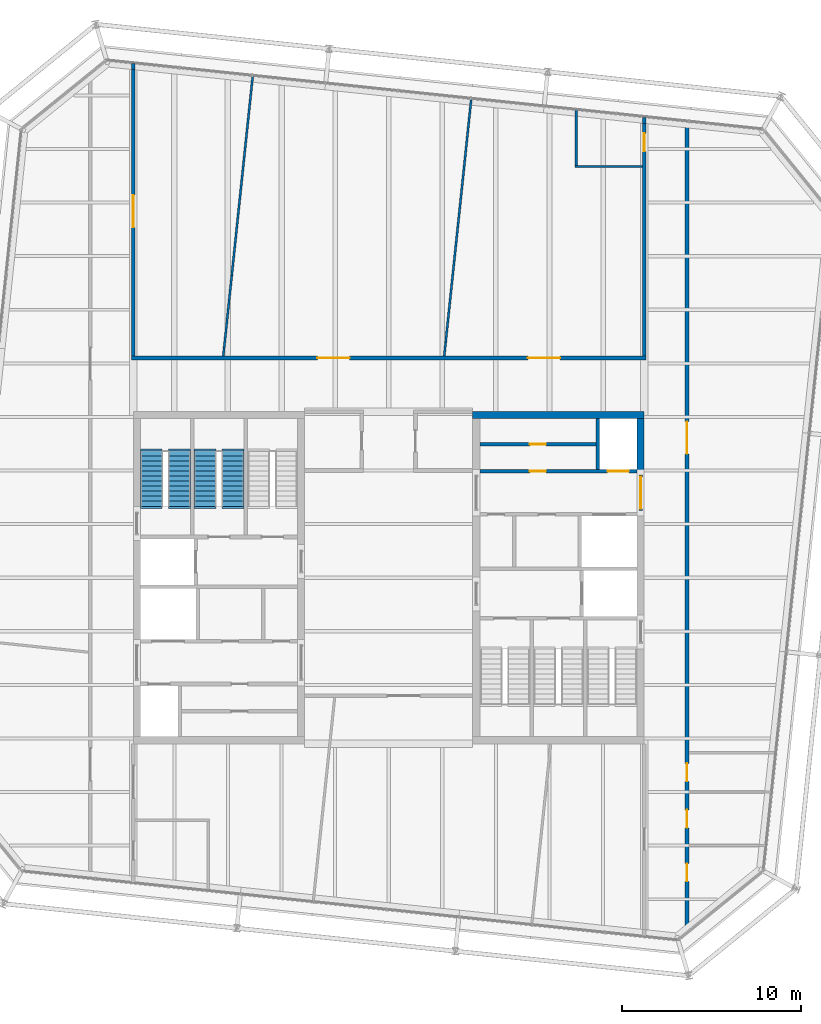
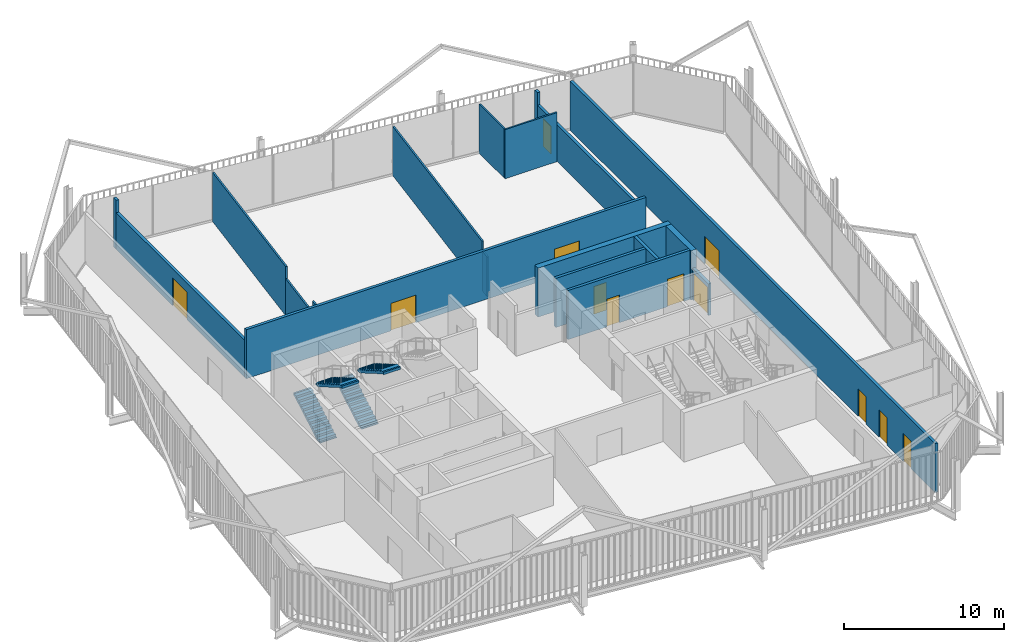
# One storey, part 19 of 21: 19 walls, 12 doors, 4 stair flights, 12 openings, 2 elements without a shape of their own.
"""IFC4 building model written with IfcOpenShell, lengths in metres."""

import ifcopenshell
import ifcopenshell.guid

model = None  # the IFC model being written
_history = None  # IfcOwnerHistory: only IFC2X3 demands one
_inside = {}  # id of a spatial element -> (the spatial element, [elements in it])
_under = {}  # id of a project, library or spatial element -> (it, [spatial elements below it])
_declared = {}  # id of a project -> (the project, [libraries it declares])
_typed = {}  # id of a type object -> (the type object, [elements of that type])
_made_of = {}  # id of a material, layer set ... -> (it, [elements and type objects made of it])


def new_model(schema):
    """Start an empty IFC model of exactly this schema.

    Asked for "IFC4X3", IfcOpenShell would pick the latest addendum, in which some entities
    have other attributes; the version numbers below select the first issue.
    IFC2X3 requires an IfcOwnerHistory on every rooted entity: one is made here for all.
    """
    global model, _history
    if schema == "IFC4X3":
        model = ifcopenshell.file(schema_version=(4, 3, 0, 0))
    else:
        model = ifcopenshell.file(schema=schema)
    _inside.clear()
    _under.clear()
    _declared.clear()
    _typed.clear()
    _made_of.clear()
    _history = None
    if model.schema == "IFC2X3":
        org = make("IfcOrganization", Name="unknown")
        user = make(
            "IfcPersonAndOrganization",
            ThePerson=make("IfcPerson", FamilyName="unknown"),
            TheOrganization=org,
        )
        app = make(
            "IfcApplication",
            ApplicationDeveloper=org,
            Version="unknown",
            ApplicationFullName="unknown",
            ApplicationIdentifier="unknown",
        )
        _history = make(
            "IfcOwnerHistory",
            OwningUser=user,
            OwningApplication=app,
            ChangeAction="ADDED",
            CreationDate=0,
        )
    return model


def make(cls, **values):
    """One entity of the class cls with the attributes given. An attribute that is None is left unset."""
    return model.create_entity(
        cls, **{name: value for name, value in values.items() if value is not None}
    )


def rooted(cls, **values):
    """An entity with a GlobalId (a new one), such as an element, a storey or a relation."""
    return make(cls, GlobalId=ifcopenshell.guid.new(), OwnerHistory=_history, **values)


def si_unit(unit_type, name, prefix=None):
    """IfcSIUnit, for example si_unit("LENGTHUNIT", "METRE", prefix="MILLI")."""
    return make("IfcSIUnit", UnitType=unit_type, Prefix=prefix, Name=name)


def assignment(units):
    """IfcUnitAssignment: the units of a project."""
    return None if units is None else make("IfcUnitAssignment", Units=units)


def point(xyz):
    """IfcCartesianPoint."""
    return None if xyz is None else make("IfcCartesianPoint", Coordinates=xyz)


def direction(xyz):
    """IfcDirection."""
    return None if xyz is None else make("IfcDirection", DirectionRatios=xyz)


def frame(location, z_axis=None, x_axis=None):
    """IfcAxis2Placement3D, a coordinate frame: its origin and axes. An axis left out is left unset."""
    return make(
        "IfcAxis2Placement3D",
        Location=point(location),
        Axis=direction(z_axis),
        RefDirection=direction(x_axis),
    )


def frame_2d(location, x_axis=None):
    """IfcAxis2Placement2D, a coordinate frame in the plane: its origin and x axis."""
    return make(
        "IfcAxis2Placement2D", Location=point(location), RefDirection=direction(x_axis)
    )


def origin():
    """The frame at (0, 0, 0) with its axes left unset."""
    return frame((0.0, 0.0, 0.0))


def place(relative_to, where):
    """IfcLocalPlacement: puts the frame where relative to a parent placement (None: the world)."""
    return make(
        "IfcLocalPlacement", PlacementRelTo=relative_to, RelativePlacement=where
    )


def context(
    kind, dimensions, precision=None, world=None, true_north=None, identifier=None
):
    """IfcGeometricRepresentationContext, for example the 3D "Model" context."""
    return make(
        "IfcGeometricRepresentationContext",
        ContextIdentifier=identifier,
        ContextType=kind,
        CoordinateSpaceDimension=dimensions,
        Precision=precision,
        WorldCoordinateSystem=world,
        TrueNorth=true_north,
    )


def subcontext(parent, identifier, kind, view, scale=None):
    """IfcGeometricRepresentationSubContext, for example "Body" below "Model"."""
    return make(
        "IfcGeometricRepresentationSubContext",
        ContextIdentifier=identifier,
        ContextType=kind,
        ParentContext=parent,
        TargetScale=scale,
        TargetView=view,
    )


def project(units=None, contexts=None):
    """IfcProject with its units and contexts."""
    return rooted(
        "IfcProject",
        Name="project",
        RepresentationContexts=contexts,
        UnitsInContext=assignment(units),
    )


def spatial(cls, under=None, at=None, **own):
    """A site, building, storey or space (cls), placed at a placement, below another one or the project."""
    s = rooted(cls, ObjectPlacement=at, **own)
    if under is not None:
        _under.setdefault(under.id(), (under, []))[1].append(s)
    return s


def polyline(points):
    """IfcPolyline through the points."""
    return make("IfcPolyline", Points=[point(p) for p in points])


def profile(cls, at=None, kind="AREA", **sizes):
    """A parametric profile (cls). Its sizes go by their IFC names, for example OverallWidth=200.0."""
    return make(cls, ProfileType=kind, Position=at, **sizes)


def rectangle(**sizes):
    """IfcRectangleProfileDef."""
    return profile("IfcRectangleProfileDef", **sizes)


def outline(outer, holes=None, kind="AREA"):
    """IfcArbitraryClosedProfileDef: a profile drawn as a closed curve; with holes, ...WithVoids."""
    if holes is None:
        return make("IfcArbitraryClosedProfileDef", ProfileType=kind, OuterCurve=outer)
    return make(
        "IfcArbitraryProfileDefWithVoids",
        ProfileType=kind,
        OuterCurve=outer,
        InnerCurves=holes,
    )


def extrude(swept, where, along, depth):
    """IfcExtrudedAreaSolid: the profile swept, set in the frame where, extruded along a direction by depth."""
    return make(
        "IfcExtrudedAreaSolid",
        SweptArea=swept,
        Position=where,
        ExtrudedDirection=direction(along),
        Depth=depth,
    )


def shape(context_of_items, identifier, shape_type, items):
    """IfcShapeRepresentation: the items that make up one representation, for example the "Body"."""
    return make(
        "IfcShapeRepresentation",
        ContextOfItems=context_of_items,
        RepresentationIdentifier=identifier,
        RepresentationType=shape_type,
        Items=items,
    )


def material(Name=None, Category=None):
    """IfcMaterial."""
    return make("IfcMaterial", Name=Name, Category=Category)


def layer(
    of_material, thickness, ventilated=None, Name=None, Category=None, Priority=None
):
    """IfcMaterialLayer: one layer of a wall or slab, of a material (None: an air gap)."""
    return make(
        "IfcMaterialLayer",
        Material=of_material,
        LayerThickness=thickness,
        IsVentilated=ventilated,
        Name=Name,
        Category=Category,
        Priority=Priority,
    )


def layer_set(layers, Name=None):
    """IfcMaterialLayerSet."""
    return make("IfcMaterialLayerSet", MaterialLayers=layers, LayerSetName=Name)


def made_of(thing, what):
    """Note that an element or type object is made of a material, layer set ...; save() writes the relation."""
    if what is not None:
        _made_of.setdefault(what.id(), (what, []))[1].append(thing)
    return thing


def type_object(cls, material=None, **own):
    """A type object (cls), such as IfcWallType, which elements share."""
    return made_of(rooted(cls, **own), material)


def element(
    cls,
    number,
    at=None,
    inside=None,
    cuts=None,
    type_object=None,
    material=None,
    context=None,
    identifier="Body",
    shape_type=None,
    held_by="IfcProductDefinitionShape",
    body=None,
    shapes=None,
    **own,
):
    """One element of the class cls, such as IfcWall. Its Tag is "e" and its number.

    at: its placement. inside: the storey or other place that contains it. cuts: it is an
    opening in that element (IfcRelVoidsElement). A single representation is given by context,
    identifier, shape_type and body (its items); several are given by shapes. held_by: the class
    of the entity that holds the representations. save() writes the other relations.
    """
    e = rooted(cls, Tag="e%d" % number, ObjectPlacement=at, **own)
    if body is not None:
        shapes = [shape(context, identifier, shape_type, body)]
    if shapes is not None:
        e.Representation = make(held_by, Representations=shapes)
    if inside is not None:
        _inside.setdefault(inside.id(), (inside, []))[1].append(e)
    if cuts is not None:
        rooted(
            "IfcRelVoidsElement", RelatingBuildingElement=cuts, RelatedOpeningElement=e
        )
    if type_object is not None:
        _typed.setdefault(type_object.id(), (type_object, []))[1].append(e)
    return made_of(e, material)


def fill(opening, filler):
    """IfcRelFillsElement: the door or window that sits in an opening."""
    return rooted(
        "IfcRelFillsElement",
        RelatingOpeningElement=opening,
        RelatedBuildingElement=filler,
    )


def aggregate(whole, parts):
    """IfcRelAggregates: a whole, such as a stair, and the parts it consists of."""
    return rooted("IfcRelAggregates", RelatingObject=whole, RelatedObjects=parts)


def save(model, path):
    """Write the relations noted so far, then the file.

    IfcRelAggregates (storeys below a building ...), IfcRelContainedInSpatialStructure (elements
    in a storey), IfcRelDefinesByType, IfcRelAssociatesMaterial and IfcRelDeclares: one each for
    every whole, place, type object, material and project.
    """
    for whole, parts in _under.values():
        aggregate(whole, parts)
    for where, things in _inside.values():
        rooted(
            "IfcRelContainedInSpatialStructure",
            RelatedElements=things,
            RelatingStructure=where,
        )
    for kind, things in _typed.values():
        rooted("IfcRelDefinesByType", RelatedObjects=things, RelatingType=kind)
    for what, things in _made_of.values():
        rooted("IfcRelAssociatesMaterial", RelatedObjects=things, RelatingMaterial=what)
    for by, libraries in _declared.values():
        rooted("IfcRelDeclares", RelatingContext=by, RelatedDefinitions=libraries)
    model.write(path)


model = new_model("IFC4")

# Units and contexts
model_context = context("Model", 3, precision=1e-05, world=origin(), true_north=direction((0.0, 1.0)))
body_context = subcontext(model_context, "Body", "Model", "MODEL_VIEW")
ifc_project = project(units=[si_unit("LENGTHUNIT", "METRE"), si_unit("AREAUNIT", "SQUARE_METRE"), si_unit("VOLUMEUNIT", "CUBIC_METRE"), si_unit("PLANEANGLEUNIT", "RADIAN"), si_unit("MASSUNIT", "GRAM", prefix="KILO")], contexts=[model_context])

# Site, building, storey
site_placement = place(None, origin())
site = spatial("IfcSite", under=ifc_project, at=site_placement, CompositionType="ELEMENT")
building_placement = place(site_placement, origin())
building = spatial("IfcBuilding", under=site, at=building_placement, Name="Millrace Tower", CompositionType="ELEMENT")
storey_placement = place(building_placement, frame((0.0, 0.0, 299.39990234375)))
storey = spatial("IfcBuildingStorey", under=building, at=storey_placement, Name="L69", CompositionType="ELEMENT", Elevation=299.39990234375)

# Walls
ifc_material_1 = material(Name="Concrete C60", Category="concrete")
ifc_layer_1 = layer(ifc_material_1, 0.39990234375)
ifc_layer_set_1 = layer_set([ifc_layer_1], Name="Concrete C60")
wall_type_1 = type_object("IfcWallType", Name="Core wall 400 Concrete C60", PredefinedType="SHEAR", material=ifc_layer_set_1)
wall_1_placement = place(storey_placement, frame((14.300048828125, 9.10009765625, 0.0), z_axis=(0.0, 0.0, 1.0), x_axis=(-1.0, 0.0, 0.0)))
element("IfcWall", 1, at=wall_1_placement, inside=storey, type_object=wall_type_1, Name="Core wall E L69", PredefinedType="SHEAR", context=body_context, shape_type="SweptSolid", body=[
    extrude(rectangle(XDim=9.60009765625, YDim=0.39990234375, at=frame_2d((4.800048828125, 0.0))), origin(), (0.0, 0.0, 1.0), 3.739990234375),
])
wall_2_placement = place(storey_placement, frame((14.10009765625, 8.89990234375, 0.0), z_axis=(0.0, 0.0, 1.0), x_axis=(0.0, -1.0, 0.0)))
element("IfcWall", 2, at=wall_2_placement, inside=storey, type_object=wall_type_1, Name="Core wall E L69", PredefinedType="SHEAR", context=body_context, shape_type="SweptSolid", body=[
    extrude(rectangle(XDim=3.14990234375, YDim=0.39990234375, at=frame_2d((1.574951171875, 0.0))), origin(), (0.0, 0.0, 1.0), 3.739990234375),
])

# Wall, openings, doors
ifc_material_2 = material(Name="Masonry partition, fire-rated", Category="masonry")
ifc_layer_2 = layer(ifc_material_2, 0.199951171875)
ifc_layer_set_2 = layer_set([ifc_layer_2], Name="Masonry partition, fire-rated")
wall_type_2 = type_object("IfcWallType", Name="Corridor wall 200", PredefinedType="PARTITIONING", material=ifc_layer_set_2)
wall_3_placement = place(storey_placement, frame((-14.39990234375, 12.300048828125, 0.0), z_axis=(0.0, 0.0, 1.0), x_axis=(1.0, 0.0, 0.0)))
wall_3 = element("IfcWall", 3, at=wall_3_placement, inside=storey, type_object=wall_type_2, Name="Corridor wall L69", PredefinedType="PARTITIONING", context=body_context, shape_type="SweptSolid", body=[
    extrude(rectangle(XDim=28.7998046875, YDim=0.199951171875, at=frame_2d((14.39990234375, 0.0))), origin(), (0.0, 0.0, 1.0), 3.739990234375),
])
opening_1_placement = place(wall_3_placement, frame((10.4130859375, 0.0, 0.0)))
opening_1 = element("IfcOpeningElement", 4, at=opening_1_placement, cuts=wall_3, Name="Opening 69-P006", PredefinedType="OPENING", context=body_context, shape_type="SweptSolid", body=[
    extrude(rectangle(XDim=1.800048828125, YDim=2.10009765625, at=frame_2d((0.89990234375, 1.050048828125))), frame((0.0, 0.10986328125, 0.0), z_axis=(0.0, -1.0, 0.0), x_axis=(1.0, 0.0, 0.0)), (0.0, 0.0, 1.0), 0.219970703125),
])
opening_2_placement = place(wall_3_placement, frame((22.198486328125, 0.0, 0.0)))
opening_2 = element("IfcOpeningElement", 5, at=opening_2_placement, cuts=wall_3, Name="Opening 69-P007", PredefinedType="OPENING", context=body_context, shape_type="SweptSolid", body=[
    extrude(rectangle(XDim=1.800048828125, YDim=2.10009765625, at=frame_2d((0.89990234375, 1.050048828125))), frame((0.0, 0.10986328125, 0.0), z_axis=(0.0, -1.0, 0.0), x_axis=(1.0, 0.0, 0.0)), (0.0, 0.0, 1.0), 0.219970703125),
])
ifc_material_3 = material(Name="Steel door set, fire-rated", Category="steel")
door_type_1 = type_object("IfcDoorType", Name="Corridor door 1800 x 2100", OperationType="DOUBLE_DOOR_SINGLE_SWING", PredefinedType="DOOR", material=ifc_material_3)
door_1_placement = place(opening_1_placement, frame((1.800048828125, 0.0, 0.0), z_axis=(0.0, 0.0, 1.0), x_axis=(-1.0, 0.0, 0.0)))
door_1 = element("IfcDoor", 6, at=door_1_placement, inside=storey, type_object=door_type_1, Name="Door 69-P006", OperationType="DOUBLE_DOOR_SINGLE_SWING", OverallHeight=2.10009765625, OverallWidth=1.800048828125, PredefinedType="DOOR", context=body_context, shape_type="SweptSolid", body=[
    extrude(rectangle(XDim=1.800048828125, YDim=2.10009765625, at=frame_2d((0.89990234375, 1.050048828125))), frame((0.0, 0.02490234375, 0.0), z_axis=(0.0, -1.0, 0.0), x_axis=(1.0, 0.0, 0.0)), (0.0, 0.0, 1.0), 0.050048828125),
])
fill(opening_1, door_1)
door_2_placement = place(opening_2_placement, origin())
door_2 = element("IfcDoor", 7, at=door_2_placement, inside=storey, type_object=door_type_1, Name="Door 69-P007", OperationType="DOUBLE_DOOR_SINGLE_SWING", OverallHeight=2.10009765625, OverallWidth=1.800048828125, PredefinedType="DOOR", context=body_context, shape_type="SweptSolid", body=[
    extrude(rectangle(XDim=1.800048828125, YDim=2.10009765625, at=frame_2d((0.89990234375, 1.050048828125))), frame((0.0, 0.02490234375, 0.0), z_axis=(0.0, -1.0, 0.0), x_axis=(1.0, 0.0, 0.0)), (0.0, 0.0, 1.0), 0.050048828125),
])
fill(opening_2, door_2)

wall_4_placement = place(storey_placement, frame((16.699951171875, -20.01416015625, 0.0), z_axis=(0.0, 0.0, 1.0), x_axis=(0.0, 1.0, 0.0)))
wall_4 = element("IfcWall", 8, at=wall_4_placement, inside=storey, type_object=wall_type_2, Name="Corridor wall L69", PredefinedType="PARTITIONING", context=body_context, shape_type="SweptSolid", body=[
    extrude(rectangle(XDim=45.535400390625, YDim=0.199951171875, at=frame_2d((22.767578125, 0.0))), origin(), (0.0, 0.0, 1.0), 3.739990234375),
])
opening_3_placement = place(wall_4_placement, frame((26.949462890625, 0.0, 0.0)))
opening_3 = element("IfcOpeningElement", 9, at=opening_3_placement, cuts=wall_4, Name="Opening 69-P009", PredefinedType="OPENING", context=body_context, shape_type="SweptSolid", body=[
    extrude(rectangle(XDim=1.800048828125, YDim=2.10009765625, at=frame_2d((0.89990234375, 1.050048828125))), frame((0.0, 0.10986328125, 0.0), z_axis=(0.0, -1.0, 0.0), x_axis=(1.0, 0.0, 0.0)), (0.0, 0.0, 1.0), 0.219970703125),
])
opening_4_placement = place(wall_4_placement, frame((3.01416015625, 0.0, 0.0)))
opening_4 = element("IfcOpeningElement", 10, at=opening_4_placement, cuts=wall_4, Name="Opening 69-P014", PredefinedType="OPENING", context=body_context, shape_type="SweptSolid", body=[
    extrude(rectangle(XDim=1.0, YDim=2.10009765625, at=frame_2d((0.5, 1.050048828125))), frame((0.0, 0.10986328125, 0.0), z_axis=(0.0, -1.0, 0.0), x_axis=(1.0, 0.0, 0.0)), (0.0, 0.0, 1.0), 0.219970703125),
])
opening_5_placement = place(wall_4_placement, frame((6.01416015625, 0.0, 0.0)))
opening_5 = element("IfcOpeningElement", 11, at=opening_5_placement, cuts=wall_4, Name="Opening 69-P015", PredefinedType="OPENING", context=body_context, shape_type="SweptSolid", body=[
    extrude(rectangle(XDim=1.0, YDim=2.10009765625, at=frame_2d((0.5, 1.050048828125))), frame((0.0, 0.10986328125, 0.0), z_axis=(0.0, -1.0, 0.0), x_axis=(1.0, 0.0, 0.0)), (0.0, 0.0, 1.0), 0.219970703125),
])
opening_6_placement = place(wall_4_placement, frame((8.614013671875, 0.0, 0.0)))
opening_6 = element("IfcOpeningElement", 12, at=opening_6_placement, cuts=wall_4, Name="Opening 69-P016", PredefinedType="OPENING", context=body_context, shape_type="SweptSolid", body=[
    extrude(rectangle(XDim=1.0, YDim=2.10009765625, at=frame_2d((0.5, 1.050048828125))), frame((0.0, 0.10986328125, 0.0), z_axis=(0.0, -1.0, 0.0), x_axis=(1.0, 0.0, 0.0)), (0.0, 0.0, 1.0), 0.219970703125),
])
ifc_material_4 = material(Name="Steel door set, fire-rated", Category="steel")
door_type_2 = type_object("IfcDoorType", Name="Corridor door 1000 x 2100", OperationType="SINGLE_SWING_LEFT", PredefinedType="DOOR", material=ifc_material_4)
door_3_placement = place(opening_4_placement, frame((1.0, 0.0, 0.0), z_axis=(0.0, 0.0, 1.0), x_axis=(-1.0, 0.0, 0.0)))
door_3 = element("IfcDoor", 13, at=door_3_placement, inside=storey, type_object=door_type_2, Name="Door 69-P014", OperationType="SINGLE_SWING_RIGHT", OverallHeight=2.10009765625, OverallWidth=1.0, PredefinedType="DOOR", context=body_context, shape_type="SweptSolid", body=[
    extrude(rectangle(XDim=1.0, YDim=2.10009765625, at=frame_2d((0.5, 1.050048828125))), frame((0.0, 0.02490234375, 0.0), z_axis=(0.0, -1.0, 0.0), x_axis=(1.0, 0.0, 0.0)), (0.0, 0.0, 1.0), 0.050048828125),
])
fill(opening_4, door_3)
door_4_placement = place(opening_5_placement, frame((1.0, 0.0, 0.0), z_axis=(0.0, 0.0, 1.0), x_axis=(-1.0, 0.0, 0.0)))
door_4 = element("IfcDoor", 14, at=door_4_placement, inside=storey, type_object=door_type_2, Name="Door 69-P015", OperationType="SINGLE_SWING_RIGHT", OverallHeight=2.10009765625, OverallWidth=1.0, PredefinedType="DOOR", context=body_context, shape_type="SweptSolid", body=[
    extrude(rectangle(XDim=1.0, YDim=2.10009765625, at=frame_2d((0.5, 1.050048828125))), frame((0.0, 0.02490234375, 0.0), z_axis=(0.0, -1.0, 0.0), x_axis=(1.0, 0.0, 0.0)), (0.0, 0.0, 1.0), 0.050048828125),
])
fill(opening_5, door_4)
door_5_placement = place(opening_6_placement, frame((1.0, 0.0, 0.0), z_axis=(0.0, 0.0, 1.0), x_axis=(-1.0, 0.0, 0.0)))
door_5 = element("IfcDoor", 15, at=door_5_placement, inside=storey, type_object=door_type_2, Name="Door 69-P016", OperationType="SINGLE_SWING_RIGHT", OverallHeight=2.10009765625, OverallWidth=1.0, PredefinedType="DOOR", context=body_context, shape_type="SweptSolid", body=[
    extrude(rectangle(XDim=1.0, YDim=2.10009765625, at=frame_2d((0.5, 1.050048828125))), frame((0.0, 0.02490234375, 0.0), z_axis=(0.0, -1.0, 0.0), x_axis=(1.0, 0.0, 0.0)), (0.0, 0.0, 1.0), 0.050048828125),
])
fill(opening_6, door_5)
door_6_placement = place(opening_3_placement, origin())
door_6 = element("IfcDoor", 16, at=door_6_placement, inside=storey, type_object=door_type_1, Name="Door 69-P009", OperationType="DOUBLE_DOOR_SINGLE_SWING", OverallHeight=2.10009765625, OverallWidth=1.800048828125, PredefinedType="DOOR", context=body_context, shape_type="SweptSolid", body=[
    extrude(rectangle(XDim=1.800048828125, YDim=2.10009765625, at=frame_2d((0.89990234375, 1.050048828125))), frame((0.0, 0.02490234375, 0.0), z_axis=(0.0, -1.0, 0.0), x_axis=(1.0, 0.0, 0.0)), (0.0, 0.0, 1.0), 0.050048828125),
])
fill(opening_3, door_6)

# Wall, opening, door
wall_5_placement = place(storey_placement, frame((14.300048828125, 12.39990234375, 0.0), z_axis=(0.0, 0.0, 1.0), x_axis=(0.0, 1.0, 0.0)))
wall_5 = element("IfcWall", 17, at=wall_5_placement, inside=storey, type_object=wall_type_2, Name="Corridor wall L69", PredefinedType="PARTITIONING", context=body_context, shape_type="SweptSolid", body=[
    extrude(rectangle(XDim=13.034423828125, YDim=0.199951171875, at=frame_2d((6.51708984375, 0.0))), origin(), (0.0, 0.0, 1.0), 2.792724609375),
])
opening_7_placement = place(wall_5_placement, frame((11.472900390625, 0.0, 0.0)))
opening_7 = element("IfcOpeningElement", 18, at=opening_7_placement, cuts=wall_5, Name="Opening 69-P008", PredefinedType="OPENING", context=body_context, shape_type="SweptSolid", body=[
    extrude(rectangle(XDim=1.0, YDim=2.10009765625, at=frame_2d((0.5, 1.050048828125))), frame((0.0, 0.10986328125, 0.0), z_axis=(0.0, -1.0, 0.0), x_axis=(1.0, 0.0, 0.0)), (0.0, 0.0, 1.0), 0.219970703125),
])
door_7_placement = place(opening_7_placement, origin())
door_7 = element("IfcDoor", 19, at=door_7_placement, inside=storey, type_object=door_type_2, Name="Door 69-P008", OperationType="SINGLE_SWING_RIGHT", OverallHeight=2.10009765625, OverallWidth=1.0, PredefinedType="DOOR", context=body_context, shape_type="SweptSolid", body=[
    extrude(rectangle(XDim=1.0, YDim=2.10009765625, at=frame_2d((0.5, 1.050048828125))), frame((0.0, 0.02490234375, 0.0), z_axis=(0.0, -1.0, 0.0), x_axis=(1.0, 0.0, 0.0)), (0.0, 0.0, 1.0), 0.050048828125),
])
fill(opening_7, door_7)

# Wall
wall_6_placement = place(storey_placement, frame((14.300048828125, 25.434326171875, 0.0), z_axis=(0.0, 0.0, 1.0), x_axis=(0.0, 1.0, 0.0)))
element("IfcWall", 20, at=wall_6_placement, inside=storey, type_object=wall_type_2, Name="Corridor wall L69", PredefinedType="PARTITIONING", context=body_context, shape_type="SweptSolid", body=[
    extrude(rectangle(XDim=0.339111328125, YDim=0.199951171875, at=frame_2d((0.16943359375, 0.0))), origin(), (0.0, 0.0, 1.0), 3.739990234375),
])

# Wall, opening, door
wall_7_placement = place(storey_placement, frame((-14.300048828125, 12.39990234375, 0.0), z_axis=(0.0, 0.0, 1.0), x_axis=(0.0, 1.0, 0.0)))
wall_7 = element("IfcWall", 21, at=wall_7_placement, inside=storey, type_object=wall_type_2, Name="Corridor wall L69", PredefinedType="PARTITIONING", context=body_context, shape_type="SweptSolid", body=[
    extrude(rectangle(XDim=16.040283203125, YDim=0.199951171875, at=frame_2d((8.02001953125, 0.0))), origin(), (0.0, 0.0, 1.0), 2.792724609375),
])
opening_8_placement = place(wall_7_placement, frame((7.214599609375, 0.0, 0.0)))
opening_8 = element("IfcOpeningElement", 22, at=opening_8_placement, cuts=wall_7, Name="Opening 69-P005", PredefinedType="OPENING", context=body_context, shape_type="SweptSolid", body=[
    extrude(rectangle(XDim=1.800048828125, YDim=2.10009765625, at=frame_2d((0.89990234375, 1.050048828125))), frame((0.0, 0.10986328125, 0.0), z_axis=(0.0, -1.0, 0.0), x_axis=(1.0, 0.0, 0.0)), (0.0, 0.0, 1.0), 0.219970703125),
])
door_8_placement = place(opening_8_placement, frame((1.800048828125, 0.0, 0.0), z_axis=(0.0, 0.0, 1.0), x_axis=(-1.0, 0.0, 0.0)))
door_8 = element("IfcDoor", 23, at=door_8_placement, inside=storey, type_object=door_type_1, Name="Door 69-P005", OperationType="DOUBLE_DOOR_SINGLE_SWING", OverallHeight=2.10009765625, OverallWidth=1.800048828125, PredefinedType="DOOR", context=body_context, shape_type="SweptSolid", body=[
    extrude(rectangle(XDim=1.800048828125, YDim=2.10009765625, at=frame_2d((0.89990234375, 1.050048828125))), frame((0.0, 0.02490234375, 0.0), z_axis=(0.0, -1.0, 0.0), x_axis=(1.0, 0.0, 0.0)), (0.0, 0.0, 1.0), 0.050048828125),
])
fill(opening_8, door_8)

# Wall
wall_8_placement = place(storey_placement, frame((-14.300048828125, 28.440185546875, 0.0), z_axis=(0.0, 0.0, 1.0), x_axis=(0.0, 1.0, 0.0)))
element("IfcWall", 24, at=wall_8_placement, inside=storey, type_object=wall_type_2, Name="Corridor wall L69", PredefinedType="PARTITIONING", context=body_context, shape_type="SweptSolid", body=[
    extrude(rectangle(XDim=0.33935546875, YDim=0.199951171875, at=frame_2d((0.169677734375, 0.0))), origin(), (0.0, 0.0, 1.0), 3.739990234375),
])

# Wall, openings, doors
ifc_material_5 = material(Name="Masonry partition, fire-rated", Category="masonry")
ifc_layer_3 = layer(ifc_material_5, 0.199951171875)
ifc_layer_set_3 = layer_set([ifc_layer_3], Name="Masonry partition, fire-rated")
wall_type_3 = type_object("IfcWallType", Name="Lift shaft wall 200", PredefinedType="PARTITIONING", material=ifc_layer_set_3)
wall_9_placement = place(storey_placement, frame((13.89990234375, 5.949951171875, 0.0), z_axis=(0.0, 0.0, 1.0), x_axis=(-1.0, 0.0, 0.0)))
wall_9 = element("IfcWall", 25, at=wall_9_placement, inside=storey, type_object=wall_type_3, Name="Lift shaft wall E L69", PredefinedType="PARTITIONING", context=body_context, shape_type="SweptSolid", body=[
    extrude(rectangle(XDim=8.7998046875, YDim=0.199951171875, at=frame_2d((4.39990234375, 0.0))), origin(), (0.0, 0.0, 1.0), 3.739990234375),
])
opening_9_placement = place(wall_9_placement, frame((0.449951171875, 0.0, 0.0)))
opening_9 = element("IfcOpeningElement", 26, at=opening_9_placement, cuts=wall_9, Name="Opening 69-LD09", PredefinedType="OPENING", context=body_context, shape_type="SweptSolid", body=[
    extrude(rectangle(XDim=1.199951171875, YDim=2.10009765625, at=frame_2d((0.60009765625, 1.050048828125))), frame((0.0, 0.10986328125, 0.0), z_axis=(0.0, -1.0, 0.0), x_axis=(1.0, 0.0, 0.0)), (0.0, 0.0, 1.0), 0.219970703125),
])
opening_10_placement = place(wall_9_placement, frame((5.10009765625, 0.0, 0.0)))
opening_10 = element("IfcOpeningElement", 27, at=opening_10_placement, cuts=wall_9, Name="Opening 69-C015", PredefinedType="OPENING", context=body_context, shape_type="SweptSolid", body=[
    extrude(rectangle(XDim=0.89990234375, YDim=2.10009765625, at=frame_2d((0.449951171875, 1.050048828125))), frame((0.0, 0.10986328125, 0.0), z_axis=(0.0, -1.0, 0.0), x_axis=(1.0, 0.0, 0.0)), (0.0, 0.0, 1.0), 0.219970703125),
])
ifc_material_6 = material(Name="Stainless steel, fire-rated", Category="steel")
door_type_3 = type_object("IfcDoorType", Name="Lift landing door 1200 x 2100", OperationType="DOUBLE_DOOR_SLIDING", PredefinedType="DOOR", material=ifc_material_6)
door_9_placement = place(opening_9_placement, origin())
door_9 = element("IfcDoor", 28, at=door_9_placement, inside=storey, type_object=door_type_3, Name="Lift landing door LF9 L69", OperationType="DOUBLE_DOOR_SLIDING", OverallHeight=2.10009765625, OverallWidth=1.199951171875, PredefinedType="DOOR", context=body_context, shape_type="SweptSolid", body=[
    extrude(rectangle(XDim=1.199951171875, YDim=2.10009765625, at=frame_2d((0.60009765625, 1.050048828125))), frame((0.0, 0.02490234375, 0.0), z_axis=(0.0, -1.0, 0.0), x_axis=(1.0, 0.0, 0.0)), (0.0, 0.0, 1.0), 0.050048828125),
])
fill(opening_9, door_9)
ifc_material_7 = material(Name="Steel door, fire-rated", Category="steel")
door_type_4 = type_object("IfcDoorType", Name="Service room door 900 x 2100", OperationType="SINGLE_SWING_LEFT", PredefinedType="DOOR", material=ifc_material_7)
door_10_placement = place(opening_10_placement, origin())
door_10 = element("IfcDoor", 29, at=door_10_placement, inside=storey, type_object=door_type_4, Name="Service room door 69-C015", OperationType="SINGLE_SWING_RIGHT", OverallHeight=2.10009765625, OverallWidth=0.89990234375, PredefinedType="DOOR", context=body_context, shape_type="SweptSolid", body=[
    extrude(rectangle(XDim=0.89990234375, YDim=2.10009765625, at=frame_2d((0.449951171875, 1.050048828125))), frame((0.0, 0.02490234375, 0.0), z_axis=(0.0, -1.0, 0.0), x_axis=(1.0, 0.0, 0.0)), (0.0, 0.0, 1.0), 0.050048828125),
])
fill(opening_10, door_10)

# Wall
wall_10_placement = place(storey_placement, frame((11.699951171875, 8.89990234375, 0.0), z_axis=(0.0, 0.0, 1.0), x_axis=(0.0, -1.0, 0.0)))
element("IfcWall", 30, at=wall_10_placement, inside=storey, type_object=wall_type_3, Name="Lift shaft wall E L69", PredefinedType="PARTITIONING", context=body_context, shape_type="SweptSolid", body=[
    extrude(rectangle(XDim=2.849853515625, YDim=0.199951171875, at=frame_2d((1.4248046875, 0.0))), origin(), (0.0, 0.0, 1.0), 3.739990234375),
])

# Wall, opening, door
ifc_material_8 = material(Name="Masonry partition, fire-rated", Category="masonry")
ifc_layer_4 = layer(ifc_material_8, 0.199951171875)
ifc_layer_set_4 = layer_set([ifc_layer_4], Name="Masonry partition, fire-rated")
wall_type_4 = type_object("IfcWallType", Name="Lobby wall 200", PredefinedType="PARTITIONING", material=ifc_layer_set_4)
wall_11_placement = place(storey_placement, frame((14.10009765625, 5.75, 0.0), z_axis=(0.0, 0.0, 1.0), x_axis=(0.0, -1.0, 0.0)))
wall_11 = element("IfcWall", 31, at=wall_11_placement, inside=storey, type_object=wall_type_4, Name="Lobby wall E L69", PredefinedType="PARTITIONING", context=body_context, shape_type="SweptSolid", body=[
    extrude(rectangle(XDim=2.0, YDim=0.199951171875, at=frame_2d((1.0, 0.0))), origin(), (0.0, 0.0, 1.0), 2.400146484375),
])
opening_11_placement = place(wall_11_placement, frame((0.10009765625, 0.0, 0.0)))
opening_11 = element("IfcOpeningElement", 32, at=opening_11_placement, cuts=wall_11, Name="Opening 69-C011", PredefinedType="OPENING", context=body_context, shape_type="SweptSolid", body=[
    extrude(rectangle(XDim=1.800048828125, YDim=2.10009765625, at=frame_2d((0.89990234375, 1.050048828125))), frame((0.0, 0.10986328125, 0.0), z_axis=(0.0, -1.0, 0.0), x_axis=(1.0, 0.0, 0.0)), (0.0, 0.0, 1.0), 0.219970703125),
])
ifc_material_9 = material(Name="Steel door, fire-rated", Category="steel")
door_type_5 = type_object("IfcDoorType", Name="Lobby door 1800 x 2100", OperationType="DOUBLE_DOOR_SINGLE_SWING", PredefinedType="DOOR", material=ifc_material_9)
door_11_placement = place(opening_11_placement, origin())
door_11 = element("IfcDoor", 33, at=door_11_placement, inside=storey, type_object=door_type_5, Name="Lobby door 69-C011", OperationType="DOUBLE_DOOR_SINGLE_SWING", OverallHeight=2.10009765625, OverallWidth=1.800048828125, PredefinedType="DOOR", context=body_context, shape_type="SweptSolid", body=[
    extrude(rectangle(XDim=1.800048828125, YDim=2.10009765625, at=frame_2d((0.89990234375, 1.050048828125))), frame((0.0, 0.02490234375, 0.0), z_axis=(0.0, -1.0, 0.0), x_axis=(1.0, 0.0, 0.0)), (0.0, 0.0, 1.0), 0.050048828125),
])
fill(opening_11, door_11)

# Walls
ifc_material_10 = material(Name="Gypsum board partition")
ifc_layer_5 = layer(ifc_material_10, 0.1201171875)
ifc_layer_set_5 = layer_set([ifc_layer_5], Name="Gypsum board partition")
wall_type_5 = type_object("IfcWallType", Name="Partition wall 120", PredefinedType="PARTITIONING", material=ifc_layer_set_5)
wall_12_placement = place(storey_placement, frame((10.43994140625, 23.02294921875, 0.0), z_axis=(0.0, 0.0, 1.0), x_axis=(1.0, 0.0, 0.0)))
element("IfcWall", 34, at=wall_12_placement, inside=storey, type_object=wall_type_5, Name="Partition wall L69", PredefinedType="PARTITIONING", context=body_context, shape_type="SweptSolid", body=[
    extrude(rectangle(XDim=3.760009765625, YDim=0.1201171875, at=frame_2d((1.8798828125, 0.0))), origin(), (0.0, 0.0, 1.0), 3.739990234375),
])
wall_13_placement = place(storey_placement, frame((3.107421875, 12.3994140625, 0.0), z_axis=(0.0, 0.0, 1.0), x_axis=(0.104651768543, 0.994508927733, 0.0)))
element("IfcWall", 35, at=wall_13_placement, inside=storey, type_object=wall_type_5, Name="Partition wall L69", PredefinedType="PARTITIONING", context=body_context, shape_type="SweptSolid", body=[
    extrude(rectangle(XDim=0.769775390625, YDim=0.1201171875, at=frame_2d((0.384765625, 0.0))), origin(), (0.0, 0.0, 1.0), 3.046630859375),
])
wall_14_placement = place(storey_placement, frame((3.18798828125, 13.1650390625, 0.0), z_axis=(0.0, 0.0, 1.0), x_axis=(0.104546573109, 0.994519991781, 0.0)))
element("IfcWall", 36, at=wall_14_placement, inside=storey, type_object=wall_type_5, Name="Partition wall L69", PredefinedType="PARTITIONING", context=body_context, shape_type="SweptSolid", body=[
    extrude(rectangle(XDim=13.700927734375, YDim=0.1201171875, at=frame_2d((6.8505859375, 0.0))), origin(), (0.0, 0.0, 1.0), 3.739990234375),
])
wall_15_placement = place(storey_placement, frame((-9.260498046875, 12.3994140625, 0.0), z_axis=(0.0, 0.0, 1.0), x_axis=(0.104319005638, 0.994543887952, 0.0)))
element("IfcWall", 37, at=wall_15_placement, inside=storey, type_object=wall_type_5, Name="Partition wall L69", PredefinedType="PARTITIONING", context=body_context, shape_type="SweptSolid", body=[
    extrude(rectangle(XDim=0.45166015625, YDim=0.1201171875, at=frame_2d((0.225830078125, 0.0))), origin(), (0.0, 0.0, 1.0), 3.739990234375),
])
wall_16_placement = place(storey_placement, frame((-9.21337890625, 12.8486328125, 0.0), z_axis=(0.0, 0.0, 1.0), x_axis=(0.104547794158, 0.99451986342, 0.0)))
element("IfcWall", 38, at=wall_16_placement, inside=storey, type_object=wall_type_5, Name="Partition wall L69", PredefinedType="PARTITIONING", context=body_context, shape_type="SweptSolid", body=[
    extrude(rectangle(XDim=4.08203125, YDim=0.1201171875, at=frame_2d((2.041015625, 0.0))), origin(), (0.0, 0.0, 1.0), 2.81298828125),
])
wall_17_placement = place(storey_placement, frame((-8.78662109375, 16.908203125, 0.0), z_axis=(0.0, 0.0, 1.0), x_axis=(0.104526348567, 0.99452211763, 0.0)))
element("IfcWall", 39, at=wall_17_placement, inside=storey, type_object=wall_type_5, Name="Partition wall L69", PredefinedType="PARTITIONING", context=body_context, shape_type="SweptSolid", body=[
    extrude(rectangle(XDim=11.22998046875, YDim=0.1201171875, at=frame_2d((5.614990234375, 0.0))), origin(), (0.0, 0.0, 1.0), 3.739990234375),
])
wall_18_placement = place(storey_placement, frame((10.5, 23.0830078125, 0.0), z_axis=(0.0, 0.0, 1.0), x_axis=(0.0, 1.0, 0.0)))
element("IfcWall", 40, at=wall_18_placement, inside=storey, type_object=wall_type_5, Name="Partition wall L69", PredefinedType="PARTITIONING", context=body_context, shape_type="SweptSolid", body=[
    extrude(rectangle(XDim=3.08984375, YDim=0.1201171875, at=frame_2d((1.544921875, 0.0))), origin(), (0.0, 0.0, 1.0), 3.739990234375),
])

# Wall, opening, door
ifc_material_11 = material(Name="Masonry partition, fire-rated", Category="masonry")
ifc_layer_6 = layer(ifc_material_11, 0.199951171875)
ifc_layer_set_6 = layer_set([ifc_layer_6], Name="Masonry partition, fire-rated")
wall_type_6 = type_object("IfcWallType", Name="Room partition 200", PredefinedType="PARTITIONING", material=ifc_layer_set_6)
wall_19_placement = place(storey_placement, frame((11.60009765625, 7.47509765625, 0.0), z_axis=(0.0, 0.0, 1.0), x_axis=(-1.0, 0.0, 0.0)))
wall_19 = element("IfcWall", 41, at=wall_19_placement, inside=storey, type_object=wall_type_6, Name="Room partition E L69", PredefinedType="PARTITIONING", context=body_context, shape_type="SweptSolid", body=[
    extrude(rectangle(XDim=6.5, YDim=0.199951171875, at=frame_2d((3.25, 0.0))), origin(), (0.0, 0.0, 1.0), 3.739990234375),
])
opening_12_placement = place(wall_19_placement, frame((2.800048828125, 0.0, 0.0)))
opening_12 = element("IfcOpeningElement", 42, at=opening_12_placement, cuts=wall_19, Name="Opening 69-C016", PredefinedType="OPENING", context=body_context, shape_type="SweptSolid", body=[
    extrude(rectangle(XDim=0.89990234375, YDim=2.10009765625, at=frame_2d((0.449951171875, 1.050048828125))), frame((0.0, 0.10986328125, 0.0), z_axis=(0.0, -1.0, 0.0), x_axis=(1.0, 0.0, 0.0)), (0.0, 0.0, 1.0), 0.219970703125),
])
door_12_placement = place(opening_12_placement, frame((0.89990234375, 0.0, 0.0), z_axis=(0.0, 0.0, 1.0), x_axis=(-1.0, 0.0, 0.0)))
door_12 = element("IfcDoor", 43, at=door_12_placement, inside=storey, type_object=door_type_4, Name="Service room door 69-C016", OperationType="SINGLE_SWING_LEFT", OverallHeight=2.10009765625, OverallWidth=0.89990234375, PredefinedType="DOOR", context=body_context, shape_type="SweptSolid", body=[
    extrude(rectangle(XDim=0.89990234375, YDim=2.10009765625, at=frame_2d((0.449951171875, 1.050048828125))), frame((0.0, 0.02490234375, 0.0), z_axis=(0.0, -1.0, 0.0), x_axis=(1.0, 0.0, 0.0)), (0.0, 0.0, 1.0), 0.050048828125),
])
fill(opening_12, door_12)

# Stair, stair flights
ifc_material_12 = material(Name="Concrete C35", Category="concrete")
stair_type = type_object("IfcStairType", Name="Exit stair", PredefinedType="HALF_TURN_STAIR", material=ifc_material_12)
placement = place(storey_placement, origin())
stair_1 = element("IfcStair", 44, at=placement, inside=storey, type_object=stair_type, Name="Stair 1 W L69", PredefinedType="HALF_TURN_STAIR")
ifc_material_13 = material(Name="Concrete C35", Category="concrete")
stair_flight_type = type_object("IfcStairFlightType", Name="Exit stair flight", PredefinedType="STRAIGHT", material=ifc_material_13)
stair_flight_1_placement = place(storey_placement, frame((-13.2900390625, 4.0, 0.0), z_axis=(0.0, 0.0, 1.0), x_axis=(0.0, 1.0, 0.0)))
stair_flight_1 = element("IfcStairFlight", 45, at=stair_flight_1_placement, type_object=stair_flight_type, Name="ST12 flight 1", NumberOfRisers=12, NumberOfTreads=11, PredefinedType="STRAIGHT", RiserHeight=0.1625, TreadLength=0.28, context=body_context, shape_type="SweptSolid", body=[
    extrude(outline(polyline([(-0.1201171875, -0.0400390625), (-0.1201171875, 0.0), (0.0, 0.0), (0.0, 0.16259765625), (0.280029296875, 0.16259765625), (0.280029296875, 0.324951171875), (0.56005859375, 0.324951171875), (0.56005859375, 0.487548828125), (0.840087890625, 0.487548828125), (0.840087890625, 0.64990234375), (1.1201171875, 0.64990234375), (1.1201171875, 0.8125), (1.39990234375, 0.8125), (1.39990234375, 0.97509765625), (1.679931640625, 0.97509765625), (1.679931640625, 1.137451171875), (1.9599609375, 1.137451171875), (1.9599609375, 1.300048828125), (2.239990234375, 1.300048828125), (2.239990234375, 1.46240234375), (2.52001953125, 1.46240234375), (2.52001953125, 1.625), (2.800048828125, 1.625), (2.800048828125, 1.78759765625), (3.080078125, 1.78759765625), (3.080078125, 1.8076171875), (3.199951171875, 1.8076171875), (3.199951171875, 1.6142578125), (3.080078125, 1.6142578125), (0.298583984375, 0.0), (0.298583984375, -0.0400390625), (-0.1201171875, -0.0400390625)])), frame((0.0, 0.60986328125, 0.0), z_axis=(0.0, -1.0, 0.0), x_axis=(1.0, 0.0, 0.0)), (0.0, 0.0, 1.0), 1.219970703125),
])
stair_flight_2_placement = place(storey_placement, frame((-11.7099609375, 7.080078125, 1.9501953125), z_axis=(0.0, 0.0, 1.0), x_axis=(0.0, -1.0, 0.0)))
stair_flight_2 = element("IfcStairFlight", 46, at=stair_flight_2_placement, type_object=stair_flight_type, Name="ST12 flight 2", NumberOfRisers=12, NumberOfTreads=11, PredefinedType="STRAIGHT", RiserHeight=0.1625, TreadLength=0.28, context=body_context, shape_type="SweptSolid", body=[
    extrude(outline(polyline([(-0.1201171875, -0.0400390625), (-0.1201171875, 0.0), (0.0, 0.0), (0.0, 0.16259765625), (0.280029296875, 0.16259765625), (0.280029296875, 0.324951171875), (0.56005859375, 0.324951171875), (0.56005859375, 0.487548828125), (0.840087890625, 0.487548828125), (0.840087890625, 0.64990234375), (1.1201171875, 0.64990234375), (1.1201171875, 0.8125), (1.39990234375, 0.8125), (1.39990234375, 0.97509765625), (1.679931640625, 0.97509765625), (1.679931640625, 1.137451171875), (1.9599609375, 1.137451171875), (1.9599609375, 1.300048828125), (2.239990234375, 1.300048828125), (2.239990234375, 1.46240234375), (2.52001953125, 1.46240234375), (2.52001953125, 1.625), (2.800048828125, 1.625), (2.800048828125, 1.78759765625), (3.080078125, 1.78759765625), (3.080078125, 1.8076171875), (3.199951171875, 1.8076171875), (3.199951171875, 1.6142578125), (3.080078125, 1.6142578125), (0.298583984375, 0.0), (0.298583984375, -0.0400390625), (-0.1201171875, -0.0400390625)])), frame((0.0, 0.60986328125, 0.0), z_axis=(0.0, -1.0, 0.0), x_axis=(1.0, 0.0, 0.0)), (0.0, 0.0, 1.0), 1.219970703125),
])
aggregate(stair_1, [stair_flight_1, stair_flight_2])

stair_2 = element("IfcStair", 47, at=placement, inside=storey, type_object=stair_type, Name="Stair 2 W L69", PredefinedType="HALF_TURN_STAIR")
stair_flight_3_placement = place(storey_placement, frame((-10.2900390625, 4.0, 0.0), z_axis=(0.0, 0.0, 1.0), x_axis=(0.0, 1.0, 0.0)))
stair_flight_3 = element("IfcStairFlight", 48, at=stair_flight_3_placement, type_object=stair_flight_type, Name="ST12 flight 1", NumberOfRisers=12, NumberOfTreads=11, PredefinedType="STRAIGHT", RiserHeight=0.1625, TreadLength=0.28, context=body_context, shape_type="SweptSolid", body=[
    extrude(outline(polyline([(-0.1201171875, -0.0400390625), (-0.1201171875, 0.0), (0.0, 0.0), (0.0, 0.16259765625), (0.280029296875, 0.16259765625), (0.280029296875, 0.324951171875), (0.56005859375, 0.324951171875), (0.56005859375, 0.487548828125), (0.840087890625, 0.487548828125), (0.840087890625, 0.64990234375), (1.1201171875, 0.64990234375), (1.1201171875, 0.8125), (1.39990234375, 0.8125), (1.39990234375, 0.97509765625), (1.679931640625, 0.97509765625), (1.679931640625, 1.137451171875), (1.9599609375, 1.137451171875), (1.9599609375, 1.300048828125), (2.239990234375, 1.300048828125), (2.239990234375, 1.46240234375), (2.52001953125, 1.46240234375), (2.52001953125, 1.625), (2.800048828125, 1.625), (2.800048828125, 1.78759765625), (3.080078125, 1.78759765625), (3.080078125, 1.8076171875), (3.199951171875, 1.8076171875), (3.199951171875, 1.6142578125), (3.080078125, 1.6142578125), (0.298583984375, 0.0), (0.298583984375, -0.0400390625), (-0.1201171875, -0.0400390625)])), frame((0.0, 0.60986328125, 0.0), z_axis=(0.0, -1.0, 0.0), x_axis=(1.0, 0.0, 0.0)), (0.0, 0.0, 1.0), 1.219970703125),
])
stair_flight_4_placement = place(storey_placement, frame((-8.7099609375, 7.080078125, 1.9501953125), z_axis=(0.0, 0.0, 1.0), x_axis=(0.0, -1.0, 0.0)))
stair_flight_4 = element("IfcStairFlight", 49, at=stair_flight_4_placement, type_object=stair_flight_type, Name="ST12 flight 2", NumberOfRisers=12, NumberOfTreads=11, PredefinedType="STRAIGHT", RiserHeight=0.1625, TreadLength=0.28, context=body_context, shape_type="SweptSolid", body=[
    extrude(outline(polyline([(-0.1201171875, -0.0400390625), (-0.1201171875, 0.0), (0.0, 0.0), (0.0, 0.16259765625), (0.280029296875, 0.16259765625), (0.280029296875, 0.324951171875), (0.56005859375, 0.324951171875), (0.56005859375, 0.487548828125), (0.840087890625, 0.487548828125), (0.840087890625, 0.64990234375), (1.1201171875, 0.64990234375), (1.1201171875, 0.8125), (1.39990234375, 0.8125), (1.39990234375, 0.97509765625), (1.679931640625, 0.97509765625), (1.679931640625, 1.137451171875), (1.9599609375, 1.137451171875), (1.9599609375, 1.300048828125), (2.239990234375, 1.300048828125), (2.239990234375, 1.46240234375), (2.52001953125, 1.46240234375), (2.52001953125, 1.625), (2.800048828125, 1.625), (2.800048828125, 1.78759765625), (3.080078125, 1.78759765625), (3.080078125, 1.8076171875), (3.199951171875, 1.8076171875), (3.199951171875, 1.6142578125), (3.080078125, 1.6142578125), (0.298583984375, 0.0), (0.298583984375, -0.0400390625), (-0.1201171875, -0.0400390625)])), frame((0.0, 0.60986328125, 0.0), z_axis=(0.0, -1.0, 0.0), x_axis=(1.0, 0.0, 0.0)), (0.0, 0.0, 1.0), 1.219970703125),
])
aggregate(stair_2, [stair_flight_3, stair_flight_4])

save(model, "model.ifc")
